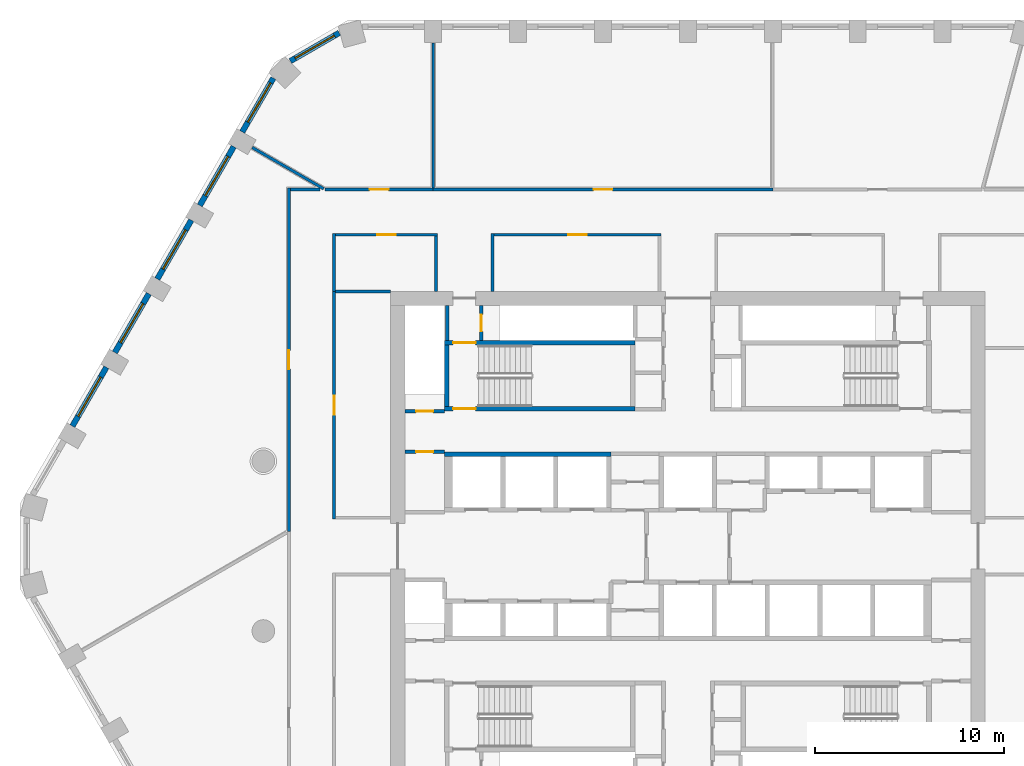
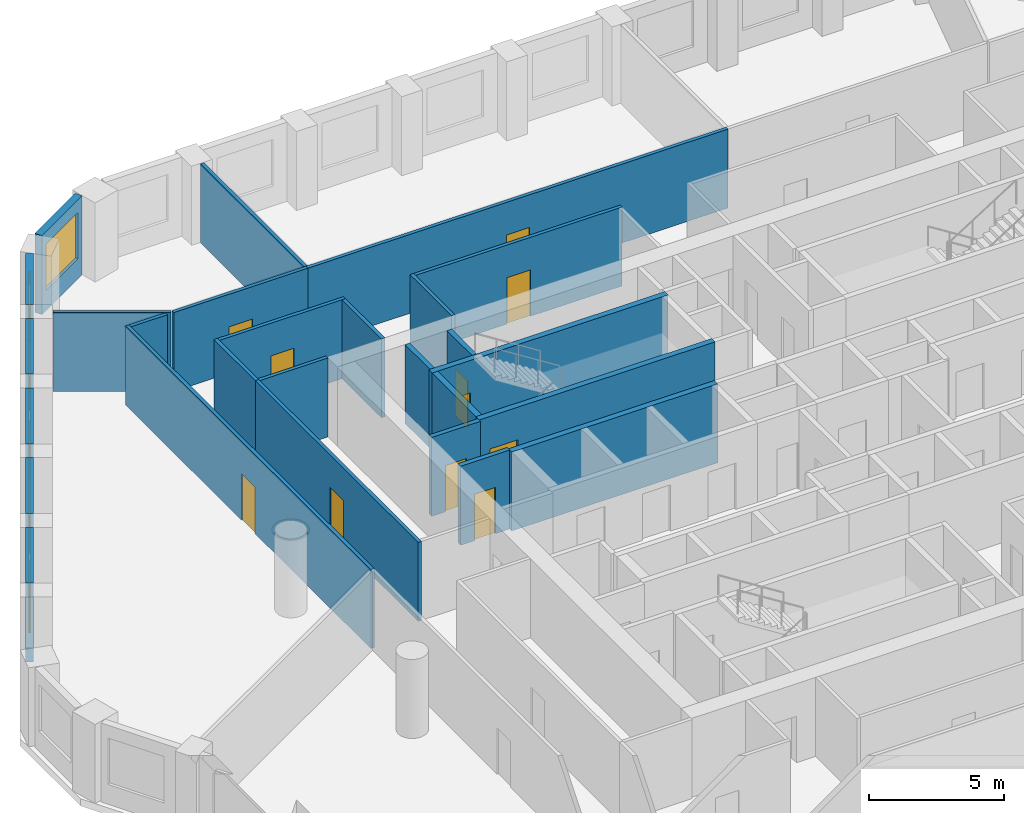
# One storey, part 6 of 14: 27 walls, 11 doors, 6 windows, 17 openings.
"""IFC4 building model written with IfcOpenShell, lengths in metres."""

from ifc_helpers import new_model, si_unit, direction, frame, frame_2d, origin, place, context, subcontext, project, spatial, polyline, rectangle, outline, extrude, material, layer, layer_set, type_object, element, fill, save


model = new_model("IFC4")

# Units and contexts
model_context = context("Model", 3, precision=1e-05, world=origin(), true_north=direction((0.0, 1.0)))
body_context = subcontext(model_context, "Body", "Model", "MODEL_VIEW")
ifc_project = project(units=[si_unit("LENGTHUNIT", "METRE"), si_unit("AREAUNIT", "SQUARE_METRE"), si_unit("VOLUMEUNIT", "CUBIC_METRE"), si_unit("PLANEANGLEUNIT", "RADIAN"), si_unit("MASSUNIT", "GRAM", prefix="KILO")], contexts=[model_context])

# Site, building, storey
site_placement = place(None, origin())
site = spatial("IfcSite", under=ifc_project, at=site_placement, CompositionType="ELEMENT")
building_placement = place(site_placement, origin())
building = spatial("IfcBuilding", under=site, at=building_placement, Name="Dhurran Vertical Campus", CompositionType="ELEMENT")
storey_placement = place(building_placement, frame((0.0, 0.0, 136.5)))
storey = spatial("IfcBuildingStorey", under=building, at=storey_placement, Name="L33", CompositionType="ELEMENT", Elevation=136.5)

# Wall, opening, window
ifc_material_1 = material(Name="Precast concrete C50/60", Category="concrete")
ifc_layer_1 = layer(ifc_material_1, 0.300048828125)
ifc_layer_set_1 = layer_set([ifc_layer_1], Name="Precast concrete C50/60")
wall_type_1 = type_object("IfcWallType", Name="Precast spandrel wall 300", PredefinedType="SOLIDWALL", material=ifc_layer_set_1)
wall_1_placement = place(storey_placement, frame((-18.479248046875, 27.201904296875, 0.0), z_axis=(0.0, 0.0, 1.0), x_axis=(-0.866012844897, -0.500021752, 0.0)))
wall_1 = element("IfcWall", 1, at=wall_1_placement, inside=storey, type_object=wall_type_1, Name="EW1 L33.31", PredefinedType="SOLIDWALL", context=body_context, shape_type="SweptSolid", body=[
    extrude(rectangle(XDim=2.989013671875, YDim=0.300048828125, at=frame_2d((1.49462890625, 0.0))), origin(), (0.0, 0.0, 1.0), 3.574951171875),
])
opening_1_placement = place(wall_1_placement, frame((0.294677734375, 0.0, 0.89990234375)))
opening_1 = element("IfcOpeningElement", 2, at=opening_1_placement, cuts=wall_1, Name="Opening WT1", PredefinedType="OPENING", context=body_context, shape_type="SweptSolid", body=[
    extrude(rectangle(XDim=2.39990234375, YDim=2.10009765625, at=frame_2d((1.199951171875, 1.050048828125))), frame((0.0, 0.159912109375, 0.0), z_axis=(0.0, -1.0, 0.0), x_axis=(1.0, 0.0, 0.0)), (0.0, 0.0, 1.0), 0.320068359375),
])
ifc_material_2 = material(Name="Aluminium frame with solar-control glass", Category="aluminium")
window_type = type_object("IfcWindowType", Name="Punched window 2400 x 2100", PartitioningType="SINGLE_PANEL", PredefinedType="WINDOW", material=ifc_material_2)
window_1_placement = place(opening_1_placement, origin())
window_1 = element("IfcWindow", 3, at=window_1_placement, inside=storey, type_object=window_type, Name="WT1 L33.31", OverallHeight=2.10009765625, OverallWidth=2.39990234375, PartitioningType="SINGLE_PANEL", PredefinedType="WINDOW", context=body_context, shape_type="SweptSolid", body=[
    extrude(rectangle(XDim=2.39990234375, YDim=2.10009765625, at=frame_2d((1.199951171875, 1.050048828125))), frame((0.0, 0.030029296875, 0.0), z_axis=(0.0, -1.0, 0.0), x_axis=(1.0, 0.0, 0.0)), (0.0, 0.0, 1.0), 0.06005859375),
])
fill(opening_1, window_1)

wall_2_placement = place(storey_placement, frame((-21.9716796875, 24.803466796875, 0.0), z_axis=(0.0, 0.0, 1.0), x_axis=(-0.500036802197, -0.866004154983, 0.0)))
wall_2 = element("IfcWall", 4, at=wall_2_placement, inside=storey, type_object=wall_type_1, Name="EW1 L33.32", PredefinedType="SOLIDWALL", context=body_context, shape_type="SweptSolid", body=[
    extrude(rectangle(XDim=3.294189453125, YDim=0.300048828125, at=frame_2d((1.64697265625, 0.0))), origin(), (0.0, 0.0, 1.0), 3.574951171875),
])
opening_2_placement = place(wall_2_placement, frame((0.29443359375, 0.0, 0.89990234375)))
opening_2 = element("IfcOpeningElement", 5, at=opening_2_placement, cuts=wall_2, Name="Opening WT1", PredefinedType="OPENING", context=body_context, shape_type="SweptSolid", body=[
    extrude(rectangle(XDim=2.39990234375, YDim=2.10009765625, at=frame_2d((1.199951171875, 1.050048828125))), frame((0.0, 0.159912109375, 0.0), z_axis=(0.0, -1.0, 0.0), x_axis=(1.0, 0.0, 0.0)), (0.0, 0.0, 1.0), 0.320068359375),
])
window_2_placement = place(opening_2_placement, origin())
window_2 = element("IfcWindow", 6, at=window_2_placement, inside=storey, type_object=window_type, Name="WT1 L33.32", OverallHeight=2.10009765625, OverallWidth=2.39990234375, PartitioningType="SINGLE_PANEL", PredefinedType="WINDOW", context=body_context, shape_type="SweptSolid", body=[
    extrude(rectangle(XDim=2.39990234375, YDim=2.10009765625, at=frame_2d((1.199951171875, 1.050048828125))), frame((0.0, 0.030029296875, 0.0), z_axis=(0.0, -1.0, 0.0), x_axis=(1.0, 0.0, 0.0)), (0.0, 0.0, 1.0), 0.06005859375),
])
fill(opening_2, window_2)

wall_3_placement = place(storey_placement, frame((-24.0693359375, 21.17041015625, 0.0), z_axis=(0.0, 0.0, 1.0), x_axis=(-0.500027802648, -0.866009351323, 0.0)))
wall_3 = element("IfcWall", 7, at=wall_3_placement, inside=storey, type_object=wall_type_1, Name="EW1 L33.33", PredefinedType="SOLIDWALL", context=body_context, shape_type="SweptSolid", body=[
    extrude(rectangle(XDim=3.598876953125, YDim=0.300048828125, at=frame_2d((1.79931640625, 0.0))), origin(), (0.0, 0.0, 1.0), 3.574951171875),
])
opening_3_placement = place(wall_3_placement, frame((0.599609375, 0.0, 0.89990234375)))
opening_3 = element("IfcOpeningElement", 8, at=opening_3_placement, cuts=wall_3, Name="Opening WT1", PredefinedType="OPENING", context=body_context, shape_type="SweptSolid", body=[
    extrude(rectangle(XDim=2.39990234375, YDim=2.10009765625, at=frame_2d((1.199951171875, 1.050048828125))), frame((0.0, 0.159912109375, 0.0), z_axis=(0.0, -1.0, 0.0), x_axis=(1.0, 0.0, 0.0)), (0.0, 0.0, 1.0), 0.320068359375),
])
window_3_placement = place(opening_3_placement, origin())
window_3 = element("IfcWindow", 9, at=window_3_placement, inside=storey, type_object=window_type, Name="WT1 L33.33", OverallHeight=2.10009765625, OverallWidth=2.39990234375, PartitioningType="SINGLE_PANEL", PredefinedType="WINDOW", context=body_context, shape_type="SweptSolid", body=[
    extrude(rectangle(XDim=2.39990234375, YDim=2.10009765625, at=frame_2d((1.199951171875, 1.050048828125))), frame((0.0, 0.030029296875, 0.0), z_axis=(0.0, -1.0, 0.0), x_axis=(1.0, 0.0, 0.0)), (0.0, 0.0, 1.0), 0.06005859375),
])
fill(opening_3, window_3)

wall_4_placement = place(storey_placement, frame((-26.3193359375, 17.273193359375, 0.0), z_axis=(0.0, 0.0, 1.0), x_axis=(-0.500027802648, -0.866009351323, 0.0)))
wall_4 = element("IfcWall", 10, at=wall_4_placement, inside=storey, type_object=wall_type_1, Name="EW1 L33.34", PredefinedType="SOLIDWALL", context=body_context, shape_type="SweptSolid", body=[
    extrude(rectangle(XDim=3.598876953125, YDim=0.300048828125, at=frame_2d((1.79931640625, 0.0))), origin(), (0.0, 0.0, 1.0), 3.574951171875),
])
opening_4_placement = place(wall_4_placement, frame((0.599609375, 0.0, 0.89990234375)))
opening_4 = element("IfcOpeningElement", 11, at=opening_4_placement, cuts=wall_4, Name="Opening WT1", PredefinedType="OPENING", context=body_context, shape_type="SweptSolid", body=[
    extrude(rectangle(XDim=2.39990234375, YDim=2.10009765625, at=frame_2d((1.199951171875, 1.050048828125))), frame((0.0, 0.159912109375, 0.0), z_axis=(0.0, -1.0, 0.0), x_axis=(1.0, 0.0, 0.0)), (0.0, 0.0, 1.0), 0.320068359375),
])
window_4_placement = place(opening_4_placement, origin())
window_4 = element("IfcWindow", 12, at=window_4_placement, inside=storey, type_object=window_type, Name="WT1 L33.34", OverallHeight=2.10009765625, OverallWidth=2.39990234375, PartitioningType="SINGLE_PANEL", PredefinedType="WINDOW", context=body_context, shape_type="SweptSolid", body=[
    extrude(rectangle(XDim=2.39990234375, YDim=2.10009765625, at=frame_2d((1.199951171875, 1.050048828125))), frame((0.0, 0.030029296875, 0.0), z_axis=(0.0, -1.0, 0.0), x_axis=(1.0, 0.0, 0.0)), (0.0, 0.0, 1.0), 0.06005859375),
])
fill(opening_4, window_4)

wall_5_placement = place(storey_placement, frame((-28.5693359375, 13.376220703125, 0.0), z_axis=(0.0, 0.0, 1.0), x_axis=(-0.500027802648, -0.866009351323, 0.0)))
wall_5 = element("IfcWall", 13, at=wall_5_placement, inside=storey, type_object=wall_type_1, Name="EW1 L33.35", PredefinedType="SOLIDWALL", context=body_context, shape_type="SweptSolid", body=[
    extrude(rectangle(XDim=3.598876953125, YDim=0.300048828125, at=frame_2d((1.79931640625, 0.0))), origin(), (0.0, 0.0, 1.0), 3.574951171875),
])
opening_5_placement = place(wall_5_placement, frame((0.599609375, 0.0, 0.89990234375)))
opening_5 = element("IfcOpeningElement", 14, at=opening_5_placement, cuts=wall_5, Name="Opening WT1", PredefinedType="OPENING", context=body_context, shape_type="SweptSolid", body=[
    extrude(rectangle(XDim=2.39990234375, YDim=2.10009765625, at=frame_2d((1.199951171875, 1.050048828125))), frame((0.0, 0.159912109375, 0.0), z_axis=(0.0, -1.0, 0.0), x_axis=(1.0, 0.0, 0.0)), (0.0, 0.0, 1.0), 0.320068359375),
])
window_5_placement = place(opening_5_placement, origin())
window_5 = element("IfcWindow", 15, at=window_5_placement, inside=storey, type_object=window_type, Name="WT1 L33.35", OverallHeight=2.10009765625, OverallWidth=2.39990234375, PartitioningType="SINGLE_PANEL", PredefinedType="WINDOW", context=body_context, shape_type="SweptSolid", body=[
    extrude(rectangle(XDim=2.39990234375, YDim=2.10009765625, at=frame_2d((1.199951171875, 1.050048828125))), frame((0.0, 0.030029296875, 0.0), z_axis=(0.0, -1.0, 0.0), x_axis=(1.0, 0.0, 0.0)), (0.0, 0.0, 1.0), 0.06005859375),
])
fill(opening_5, window_5)

wall_6_placement = place(storey_placement, frame((-30.8193359375, 9.47900390625, 0.0), z_axis=(0.0, 0.0, 1.0), x_axis=(-0.500027802648, -0.866009351323, 0.0)))
wall_6 = element("IfcWall", 16, at=wall_6_placement, inside=storey, type_object=wall_type_1, Name="EW1 L33.36", PredefinedType="SOLIDWALL", context=body_context, shape_type="SweptSolid", body=[
    extrude(rectangle(XDim=3.598876953125, YDim=0.300048828125, at=frame_2d((1.79931640625, 0.0))), origin(), (0.0, 0.0, 1.0), 3.574951171875),
])
opening_6_placement = place(wall_6_placement, frame((0.599609375, 0.0, 0.89990234375)))
opening_6 = element("IfcOpeningElement", 17, at=opening_6_placement, cuts=wall_6, Name="Opening WT1", PredefinedType="OPENING", context=body_context, shape_type="SweptSolid", body=[
    extrude(rectangle(XDim=2.39990234375, YDim=2.10009765625, at=frame_2d((1.199951171875, 1.050048828125))), frame((0.0, 0.159912109375, 0.0), z_axis=(0.0, -1.0, 0.0), x_axis=(1.0, 0.0, 0.0)), (0.0, 0.0, 1.0), 0.320068359375),
])
window_6_placement = place(opening_6_placement, origin())
window_6 = element("IfcWindow", 18, at=window_6_placement, inside=storey, type_object=window_type, Name="WT1 L33.36", OverallHeight=2.10009765625, OverallWidth=2.39990234375, PartitioningType="SINGLE_PANEL", PredefinedType="WINDOW", context=body_context, shape_type="SweptSolid", body=[
    extrude(rectangle(XDim=2.39990234375, YDim=2.10009765625, at=frame_2d((1.199951171875, 1.050048828125))), frame((0.0, 0.030029296875, 0.0), z_axis=(0.0, -1.0, 0.0), x_axis=(1.0, 0.0, 0.0)), (0.0, 0.0, 1.0), 0.06005859375),
])
fill(opening_6, window_6)

# Wall
ifc_material_3 = material(Name="Fire-rated masonry blockwork", Category="masonry")
ifc_layer_2 = layer(ifc_material_3, 0.199951171875)
ifc_layer_set_2 = layer_set([ifc_layer_2], Name="Fire-rated masonry blockwork")
wall_type_2 = type_object("IfcWallType", Name="co-FIRE-PARTITION-200", PredefinedType="PARTITIONING", material=ifc_layer_set_2)
wall_7_placement = place(storey_placement, frame((-12.75, 10.89990234375, 0.0), z_axis=(0.0, 0.0, 1.0), x_axis=(0.0, 1.0, 0.0)))
element("IfcWall", 19, at=wall_7_placement, inside=storey, type_object=wall_type_2, Name="Core partition pass-ST1-o L33", PredefinedType="PARTITIONING", context=body_context, shape_type="SweptSolid", body=[
    extrude(rectangle(XDim=1.85009765625, YDim=0.199951171875, at=frame_2d((0.925048828125, 0.0))), origin(), (0.0, 0.0, 1.0), 3.574951171875),
])

# Wall, opening, door
wall_8_placement = place(storey_placement, frame((-10.949951171875, 10.89990234375, 0.0), z_axis=(0.0, 0.0, 1.0), x_axis=(0.0, 1.0, 0.0)))
wall_8 = element("IfcWall", 20, at=wall_8_placement, inside=storey, type_object=wall_type_2, Name="Core partition pass-ST1-i L33", PredefinedType="PARTITIONING", context=body_context, shape_type="SweptSolid", body=[
    extrude(rectangle(XDim=1.85009765625, YDim=0.199951171875, at=frame_2d((0.925048828125, 0.0))), origin(), (0.0, 0.0, 1.0), 3.574951171875),
])
opening_7_placement = place(wall_8_placement, frame((0.47509765625, 0.0, 0.0)))
opening_7 = element("IfcOpeningElement", 21, at=opening_7_placement, cuts=wall_8, Name="Opening T09-C11", PredefinedType="OPENING", context=body_context, shape_type="SweptSolid", body=[
    extrude(rectangle(XDim=0.89990234375, YDim=2.10009765625, at=frame_2d((0.449951171875, 1.050048828125))), frame((0.0, 0.10986328125, 0.0), z_axis=(0.0, -1.0, 0.0), x_axis=(1.0, 0.0, 0.0)), (0.0, 0.0, 1.0), 0.219970703125),
])
ifc_material_4 = material(Name="Fire-rated timber door set", Category="wood")
door_type_1 = type_object("IfcDoorType", Name="co-D-ROOM 900x2100", OperationType="SINGLE_SWING_LEFT", PredefinedType="DOOR", material=ifc_material_4)
door_1_placement = place(opening_7_placement, origin())
door_1 = element("IfcDoor", 22, at=door_1_placement, inside=storey, type_object=door_type_1, Name="Riser room door L33", OperationType="SINGLE_SWING_LEFT", OverallHeight=2.10009765625, OverallWidth=0.89990234375, PredefinedType="DOOR", context=body_context, shape_type="SweptSolid", body=[
    extrude(rectangle(XDim=0.89990234375, YDim=2.10009765625, at=frame_2d((0.449951171875, 1.050048828125))), frame((0.0, 0.02490234375, 0.0), z_axis=(0.0, -1.0, 0.0), x_axis=(1.0, 0.0, 0.0)), (0.0, 0.0, 1.0), 0.050048828125),
])
fill(opening_7, door_1)

wall_9_placement = place(storey_placement, frame((-15.0, 7.14990234375, 0.0), z_axis=(0.0, 0.0, 1.0), x_axis=(1.0, 0.0, 0.0)))
wall_9 = element("IfcWall", 23, at=wall_9_placement, inside=storey, type_object=wall_type_2, Name="Core partition en-NW-w L33", PredefinedType="PARTITIONING", context=body_context, shape_type="SweptSolid", body=[
    extrude(rectangle(XDim=2.10009765625, YDim=0.199951171875, at=frame_2d((1.050048828125, 0.0))), origin(), (0.0, 0.0, 1.0), 3.574951171875),
])
opening_8_placement = place(wall_9_placement, frame((0.60009765625, 0.0, 0.0)))
opening_8 = element("IfcOpeningElement", 24, at=opening_8_placement, cuts=wall_9, Name="Opening T09-C15", PredefinedType="OPENING", context=body_context, shape_type="SweptSolid", body=[
    extrude(rectangle(XDim=0.89990234375, YDim=2.10009765625, at=frame_2d((0.449951171875, 1.050048828125))), frame((0.0, 0.10986328125, 0.0), z_axis=(0.0, -1.0, 0.0), x_axis=(1.0, 0.0, 0.0)), (0.0, 0.0, 1.0), 0.219970703125),
])
door_2_placement = place(opening_8_placement, origin())
door_2 = element("IfcDoor", 25, at=door_2_placement, inside=storey, type_object=door_type_1, Name="Electrical riser door L33", OperationType="SINGLE_SWING_LEFT", OverallHeight=2.10009765625, OverallWidth=0.89990234375, PredefinedType="DOOR", context=body_context, shape_type="SweptSolid", body=[
    extrude(rectangle(XDim=0.89990234375, YDim=2.10009765625, at=frame_2d((0.449951171875, 1.050048828125))), frame((0.0, 0.02490234375, 0.0), z_axis=(0.0, -1.0, 0.0), x_axis=(1.0, 0.0, 0.0)), (0.0, 0.0, 1.0), 0.050048828125),
])
fill(opening_8, door_2)

wall_10_placement = place(storey_placement, frame((-15.0, 5.0, 0.0), z_axis=(0.0, 0.0, 1.0), x_axis=(1.0, 0.0, 0.0)))
wall_10 = element("IfcWall", 26, at=wall_10_placement, inside=storey, type_object=wall_type_2, Name="Core partition es-NW-w L33", PredefinedType="PARTITIONING", context=body_context, shape_type="SweptSolid", body=[
    extrude(rectangle(XDim=2.10009765625, YDim=0.199951171875, at=frame_2d((1.050048828125, 0.0))), origin(), (0.0, 0.0, 1.0), 3.574951171875),
])
opening_9_placement = place(wall_10_placement, frame((0.60009765625, 0.0, 0.0)))
opening_9 = element("IfcOpeningElement", 27, at=opening_9_placement, cuts=wall_10, Name="Opening T09-C16", PredefinedType="OPENING", context=body_context, shape_type="SweptSolid", body=[
    extrude(rectangle(XDim=0.89990234375, YDim=2.10009765625, at=frame_2d((0.449951171875, 1.050048828125))), frame((0.0, 0.10986328125, 0.0), z_axis=(0.0, -1.0, 0.0), x_axis=(1.0, 0.0, 0.0)), (0.0, 0.0, 1.0), 0.219970703125),
])
door_3_placement = place(opening_9_placement, origin())
door_3 = element("IfcDoor", 28, at=door_3_placement, inside=storey, type_object=door_type_1, Name="Print room door L33", OperationType="SINGLE_SWING_LEFT", OverallHeight=2.10009765625, OverallWidth=0.89990234375, PredefinedType="DOOR", context=body_context, shape_type="SweptSolid", body=[
    extrude(rectangle(XDim=0.89990234375, YDim=2.10009765625, at=frame_2d((0.449951171875, 1.050048828125))), frame((0.0, 0.02490234375, 0.0), z_axis=(0.0, -1.0, 0.0), x_axis=(1.0, 0.0, 0.0)), (0.0, 0.0, 1.0), 0.050048828125),
])
fill(opening_9, door_3)

# Wall
ifc_material_5 = material(Name="Concrete C50/60", Category="concrete")
ifc_layer_3 = layer(ifc_material_5, 0.25)
ifc_layer_set_3 = layer_set([ifc_layer_3], Name="Concrete C50/60")
wall_type_3 = type_object("IfcWallType", Name="co-SHAFT-MASS-250", PredefinedType="SHEAR", material=ifc_layer_set_3)
wall_11_placement = place(storey_placement, origin())
element("IfcWall", 29, at=wall_11_placement, inside=storey, type_object=wall_type_3, Name="Lift shaft wall N L33 1", PredefinedType="SHEAR", context=body_context, shape_type="SweptSolid", body=[
    extrude(outline(polyline([(-12.89990234375, 4.75), (-4.074951171875, 4.75), (-4.074951171875, 5.0), (-12.89990234375, 5.0), (-12.89990234375, 4.75)])), origin(), (0.0, 0.0, 1.0), 3.574951171875),
])

# Wall, opening, door
ifc_material_6 = material(Name="Concrete C40/50", Category="concrete")
ifc_layer_4 = layer(ifc_material_6, 0.25)
ifc_layer_set_4 = layer_set([ifc_layer_4], Name="Concrete C40/50")
wall_type_4 = type_object("IfcWallType", Name="co-STAIR-WALL-250", PredefinedType="SHEAR", material=ifc_layer_set_4)
wall_12_placement = place(storey_placement, frame((-12.89990234375, 7.27490234375, 0.0), z_axis=(0.0, 0.0, 1.0), x_axis=(1.0, 0.0, 0.0)))
wall_12 = element("IfcWall", 30, at=wall_12_placement, inside=storey, type_object=wall_type_4, Name="Stair ST1 enclosure wall L33", PredefinedType="SHEAR", context=body_context, shape_type="SweptSolid", body=[
    extrude(rectangle(XDim=10.099853515625, YDim=0.25, at=frame_2d((5.0498046875, 0.0))), origin(), (0.0, 0.0, 1.0), 3.574951171875),
])
opening_10_placement = place(wall_12_placement, frame((0.449951171875, 0.0, 0.0)))
opening_10 = element("IfcOpeningElement", 31, at=opening_10_placement, cuts=wall_12, Name="Opening SD1", PredefinedType="OPENING", context=body_context, shape_type="SweptSolid", body=[
    extrude(rectangle(XDim=1.199951171875, YDim=2.10009765625, at=frame_2d((0.60009765625, 1.050048828125))), frame((0.0, 0.135009765625, 0.0), z_axis=(0.0, -1.0, 0.0), x_axis=(1.0, 0.0, 0.0)), (0.0, 0.0, 1.0), 0.27001953125),
])
ifc_material_7 = material(Name="Fire-rated steel door set", Category="steel")
door_type_2 = type_object("IfcDoorType", Name="co-D-STAIR 1200x2100", OperationType="SINGLE_SWING_LEFT", PredefinedType="DOOR", material=ifc_material_7)
door_4_placement = place(opening_10_placement, origin())
door_4 = element("IfcDoor", 32, at=door_4_placement, inside=storey, type_object=door_type_2, Name="Stair ST1 door L33", OperationType="SINGLE_SWING_LEFT", OverallHeight=2.10009765625, OverallWidth=1.199951171875, PredefinedType="DOOR", context=body_context, shape_type="SweptSolid", body=[
    extrude(rectangle(XDim=1.199951171875, YDim=2.10009765625, at=frame_2d((0.60009765625, 1.050048828125))), frame((0.0, 0.02490234375, 0.0), z_axis=(0.0, -1.0, 0.0), x_axis=(1.0, 0.0, 0.0)), (0.0, 0.0, 1.0), 0.050048828125),
])
fill(opening_10, door_4)

wall_13_placement = place(storey_placement, frame((-12.89990234375, 10.77490234375, 0.0), z_axis=(0.0, 0.0, 1.0), x_axis=(1.0, 0.0, 0.0)))
wall_13 = element("IfcWall", 33, at=wall_13_placement, inside=storey, type_object=wall_type_4, Name="Stair ST1 enclosure wall L33", PredefinedType="SHEAR", context=body_context, shape_type="SweptSolid", body=[
    extrude(rectangle(XDim=10.099853515625, YDim=0.25, at=frame_2d((5.0498046875, 0.0))), origin(), (0.0, 0.0, 1.0), 3.574951171875),
])
opening_11_placement = place(wall_13_placement, frame((0.449951171875, 0.0, 0.0)))
opening_11 = element("IfcOpeningElement", 34, at=opening_11_placement, cuts=wall_13, Name="Opening XS1", PredefinedType="OPENING", context=body_context, shape_type="SweptSolid", body=[
    extrude(rectangle(XDim=1.199951171875, YDim=2.10009765625, at=frame_2d((0.60009765625, 1.050048828125))), frame((0.0, 0.135009765625, 0.0), z_axis=(0.0, -1.0, 0.0), x_axis=(1.0, 0.0, 0.0)), (0.0, 0.0, 1.0), 0.27001953125),
])
ifc_material_8 = material(Name="Fire-rated steel door set", Category="steel")
door_type_3 = type_object("IfcDoorType", Name="co-D-STAIR-EXIT 1200x2100", OperationType="SINGLE_SWING_RIGHT", PredefinedType="DOOR", material=ifc_material_8)
door_5_placement = place(opening_11_placement, origin())
door_5 = element("IfcDoor", 35, at=door_5_placement, inside=storey, type_object=door_type_3, Name="Stair ST1 discharge door L33", OperationType="SINGLE_SWING_RIGHT", OverallHeight=2.10009765625, OverallWidth=1.199951171875, PredefinedType="DOOR", context=body_context, shape_type="SweptSolid", body=[
    extrude(rectangle(XDim=1.199951171875, YDim=2.10009765625, at=frame_2d((0.60009765625, 1.050048828125))), frame((0.0, 0.02490234375, 0.0), z_axis=(0.0, -1.0, 0.0), x_axis=(1.0, 0.0, 0.0)), (0.0, 0.0, 1.0), 0.050048828125),
])
fill(opening_11, door_5)

# Wall
wall_14_placement = place(storey_placement, frame((-12.77490234375, 7.39990234375, 0.0), z_axis=(0.0, 0.0, 1.0), x_axis=(0.0, 1.0, 0.0)))
element("IfcWall", 36, at=wall_14_placement, inside=storey, type_object=wall_type_4, Name="Stair ST1 enclosure wall L33", PredefinedType="SHEAR", context=body_context, shape_type="SweptSolid", body=[
    extrude(rectangle(XDim=3.25, YDim=0.25, at=frame_2d((1.625, 0.0))), origin(), (0.0, 0.0, 1.0), 3.574951171875),
])

# Wall, opening, door
ifc_material_9 = material(Name="Gypsum board corridor wall on steel studs", Category="steel")
ifc_layer_5 = layer(ifc_material_9, 0.14990234375)
ifc_layer_set_5 = layer_set([ifc_layer_5], Name="Gypsum board corridor wall on steel studs")
wall_type_5 = type_object("IfcWallType", Name="fl-CW-150 corridor wall", PredefinedType="PARTITIONING", material=ifc_layer_set_5)
wall_15_placement = place(storey_placement, frame((-21.14990234375, 18.97509765625, 0.0), z_axis=(0.0, 0.0, 1.0), x_axis=(0.0, -1.0, 0.0)))
wall_15 = element("IfcWall", 37, at=wall_15_placement, inside=storey, type_object=wall_type_5, Name="Partition 33-06", PredefinedType="PARTITIONING", context=body_context, shape_type="SweptSolid", body=[
    extrude(rectangle(XDim=18.196044921875, YDim=0.14990234375, at=frame_2d((9.09814453125, 0.0))), origin(), (0.0, 0.0, 1.0), 3.574951171875),
])
opening_12_placement = place(wall_15_placement, frame((8.597900390625, 0.0, 0.0)))
opening_12 = element("IfcOpeningElement", 38, at=opening_12_placement, cuts=wall_15, Name="Opening T09.01", PredefinedType="OPENING", context=body_context, shape_type="SweptSolid", body=[
    extrude(rectangle(XDim=1.0, YDim=2.10009765625, at=frame_2d((0.5, 1.050048828125))), frame((0.0, 0.0849609375, 0.0), z_axis=(0.0, -1.0, 0.0), x_axis=(1.0, 0.0, 0.0)), (0.0, 0.0, 1.0), 0.169921875),
])
ifc_material_10 = material(Name="Solid-core timber door set, fire-rated", Category="wood")
door_type_4 = type_object("IfcDoorType", Name="fl-D-1000x2100", OperationType="SINGLE_SWING_LEFT", PredefinedType="DOOR", material=ifc_material_10)
door_6_placement = place(opening_12_placement, origin())
door_6 = element("IfcDoor", 39, at=door_6_placement, inside=storey, type_object=door_type_4, Name="Door 33.01", OperationType="SINGLE_SWING_LEFT", OverallHeight=2.10009765625, OverallWidth=1.0, PredefinedType="DOOR", context=body_context, shape_type="SweptSolid", body=[
    extrude(rectangle(XDim=1.0, YDim=2.10009765625, at=frame_2d((0.5, 1.050048828125))), frame((0.0, 0.02490234375, 0.0), z_axis=(0.0, -1.0, 0.0), x_axis=(1.0, 0.0, 0.0)), (0.0, 0.0, 1.0), 0.050048828125),
])
fill(opening_12, door_6)

# Wall
wall_16_placement = place(storey_placement, frame((-19.510986328125, 18.89990234375, 0.0), z_axis=(0.0, 0.0, 1.0), x_axis=(-1.0, 0.0, 0.0)))
element("IfcWall", 40, at=wall_16_placement, inside=storey, type_object=wall_type_5, Name="Partition 33-07", PredefinedType="PARTITIONING", context=body_context, shape_type="SweptSolid", body=[
    extrude(rectangle(XDim=1.56396484375, YDim=0.14990234375, at=frame_2d((0.781982421875, 0.0))), origin(), (0.0, 0.0, 1.0), 3.574951171875),
])

# Wall, opening, door
wall_17_placement = place(storey_placement, frame((-13.5, 18.89990234375, 0.0), z_axis=(0.0, 0.0, 1.0), x_axis=(-1.0, 0.0, 0.0)))
wall_17 = element("IfcWall", 41, at=wall_17_placement, inside=storey, type_object=wall_type_5, Name="Partition 33-09", PredefinedType="PARTITIONING", context=body_context, shape_type="SweptSolid", body=[
    extrude(rectangle(XDim=5.736083984375, YDim=0.14990234375, at=frame_2d((2.8681640625, 0.0))), origin(), (0.0, 0.0, 1.0), 3.574951171875),
])
opening_13_placement = place(wall_17_placement, frame((2.367919921875, 0.0, 0.0)))
opening_13 = element("IfcOpeningElement", 42, at=opening_13_placement, cuts=wall_17, Name="Opening T09.04", PredefinedType="OPENING", context=body_context, shape_type="SweptSolid", body=[
    extrude(rectangle(XDim=1.0, YDim=2.10009765625, at=frame_2d((0.5, 1.050048828125))), frame((0.0, 0.0849609375, 0.0), z_axis=(0.0, -1.0, 0.0), x_axis=(1.0, 0.0, 0.0)), (0.0, 0.0, 1.0), 0.169921875),
])
door_7_placement = place(opening_13_placement, origin())
door_7 = element("IfcDoor", 43, at=door_7_placement, inside=storey, type_object=door_type_4, Name="Door 33.04", OperationType="SINGLE_SWING_RIGHT", OverallHeight=2.10009765625, OverallWidth=1.0, PredefinedType="DOOR", context=body_context, shape_type="SweptSolid", body=[
    extrude(rectangle(XDim=1.0, YDim=2.10009765625, at=frame_2d((0.5, 1.050048828125))), frame((0.0, 0.02490234375, 0.0), z_axis=(0.0, -1.0, 0.0), x_axis=(1.0, 0.0, 0.0)), (0.0, 0.0, 1.0), 0.050048828125),
])
fill(opening_13, door_7)

wall_18_placement = place(storey_placement, frame((-18.75, 1.425048828125, 0.0), z_axis=(0.0, 0.0, 1.0), x_axis=(0.0, 1.0, 0.0)))
wall_18 = element("IfcWall", 44, at=wall_18_placement, inside=storey, type_object=wall_type_5, Name="Partition 33-15", PredefinedType="PARTITIONING", context=body_context, shape_type="SweptSolid", body=[
    extrude(rectangle(XDim=12.074951171875, YDim=0.14990234375, at=frame_2d((6.03759765625, 0.0))), origin(), (0.0, 0.0, 1.0), 3.574951171875),
])
opening_14_placement = place(wall_18_placement, frame((5.53759765625, 0.0, 0.0)))
opening_14 = element("IfcOpeningElement", 45, at=opening_14_placement, cuts=wall_18, Name="Opening T09.06", PredefinedType="OPENING", context=body_context, shape_type="SweptSolid", body=[
    extrude(rectangle(XDim=1.0, YDim=2.10009765625, at=frame_2d((0.5, 1.050048828125))), frame((0.0, 0.0849609375, 0.0), z_axis=(0.0, -1.0, 0.0), x_axis=(1.0, 0.0, 0.0)), (0.0, 0.0, 1.0), 0.169921875),
])
door_8_placement = place(opening_14_placement, origin())
door_8 = element("IfcDoor", 46, at=door_8_placement, inside=storey, type_object=door_type_4, Name="Door 33.06", OperationType="SINGLE_SWING_LEFT", OverallHeight=2.10009765625, OverallWidth=1.0, PredefinedType="DOOR", context=body_context, shape_type="SweptSolid", body=[
    extrude(rectangle(XDim=1.0, YDim=2.10009765625, at=frame_2d((0.5, 1.050048828125))), frame((0.0, 0.02490234375, 0.0), z_axis=(0.0, -1.0, 0.0), x_axis=(1.0, 0.0, 0.0)), (0.0, 0.0, 1.0), 0.050048828125),
])
fill(opening_14, door_8)

# Wall
wall_19_placement = place(storey_placement, frame((-18.75, 13.5, 0.0), z_axis=(0.0, 0.0, 1.0), x_axis=(0.0, 1.0, 0.0)))
element("IfcWall", 47, at=wall_19_placement, inside=storey, type_object=wall_type_5, Name="Partition 33-17", PredefinedType="PARTITIONING", context=body_context, shape_type="SweptSolid", body=[
    extrude(rectangle(XDim=3.074951171875, YDim=0.14990234375, at=frame_2d((1.53759765625, 0.0))), origin(), (0.0, 0.0, 1.0), 3.574951171875),
])

# Wall, opening, door
wall_20_placement = place(storey_placement, frame((-18.675048828125, 16.5, 0.0), z_axis=(0.0, 0.0, 1.0), x_axis=(1.0, 0.0, 0.0)))
wall_20 = element("IfcWall", 48, at=wall_20_placement, inside=storey, type_object=wall_type_5, Name="Partition 33-19", PredefinedType="PARTITIONING", context=body_context, shape_type="SweptSolid", body=[
    extrude(rectangle(XDim=5.400146484375, YDim=0.14990234375, at=frame_2d((2.7001953125, 0.0))), origin(), (0.0, 0.0, 1.0), 3.574951171875),
])
opening_15_placement = place(wall_20_placement, frame((2.199951171875, 0.0, 0.0)))
opening_15 = element("IfcOpeningElement", 49, at=opening_15_placement, cuts=wall_20, Name="Opening T09.08", PredefinedType="OPENING", context=body_context, shape_type="SweptSolid", body=[
    extrude(rectangle(XDim=1.0, YDim=2.10009765625, at=frame_2d((0.5, 1.050048828125))), frame((0.0, 0.0849609375, 0.0), z_axis=(0.0, -1.0, 0.0), x_axis=(1.0, 0.0, 0.0)), (0.0, 0.0, 1.0), 0.169921875),
])
door_9_placement = place(opening_15_placement, origin())
door_9 = element("IfcDoor", 50, at=door_9_placement, inside=storey, type_object=door_type_4, Name="Door 33.08", OperationType="SINGLE_SWING_LEFT", OverallHeight=2.10009765625, OverallWidth=1.0, PredefinedType="DOOR", context=body_context, shape_type="SweptSolid", body=[
    extrude(rectangle(XDim=1.0, YDim=2.10009765625, at=frame_2d((0.5, 1.050048828125))), frame((0.0, 0.02490234375, 0.0), z_axis=(0.0, -1.0, 0.0), x_axis=(1.0, 0.0, 0.0)), (0.0, 0.0, 1.0), 0.050048828125),
])
fill(opening_15, door_9)

wall_21_placement = place(storey_placement, frame((4.5, 18.89990234375, 0.0), z_axis=(0.0, 0.0, 1.0), x_axis=(-1.0, 0.0, 0.0)))
wall_21 = element("IfcWall", 51, at=wall_21_placement, inside=storey, type_object=wall_type_5, Name="Partition 33-23", PredefinedType="PARTITIONING", context=body_context, shape_type="SweptSolid", body=[
    extrude(rectangle(XDim=18.0, YDim=0.14990234375, at=frame_2d((9.0, 0.0))), origin(), (0.0, 0.0, 1.0), 3.574951171875),
])
opening_16_placement = place(wall_21_placement, frame((8.5, 0.0, 0.0)))
opening_16 = element("IfcOpeningElement", 52, at=opening_16_placement, cuts=wall_21, Name="Opening T09.12", PredefinedType="OPENING", context=body_context, shape_type="SweptSolid", body=[
    extrude(rectangle(XDim=1.0, YDim=2.10009765625, at=frame_2d((0.5, 1.050048828125))), frame((0.0, 0.0849609375, 0.0), z_axis=(0.0, -1.0, 0.0), x_axis=(1.0, 0.0, 0.0)), (0.0, 0.0, 1.0), 0.169921875),
])
door_10_placement = place(opening_16_placement, origin())
door_10 = element("IfcDoor", 53, at=door_10_placement, inside=storey, type_object=door_type_4, Name="Door 33.12", OperationType="SINGLE_SWING_RIGHT", OverallHeight=2.10009765625, OverallWidth=1.0, PredefinedType="DOOR", context=body_context, shape_type="SweptSolid", body=[
    extrude(rectangle(XDim=1.0, YDim=2.10009765625, at=frame_2d((0.5, 1.050048828125))), frame((0.0, 0.02490234375, 0.0), z_axis=(0.0, -1.0, 0.0), x_axis=(1.0, 0.0, 0.0)), (0.0, 0.0, 1.0), 0.050048828125),
])
fill(opening_16, door_10)

# Walls
wall_22_placement = place(storey_placement, frame((-13.35009765625, 16.425048828125, 0.0), z_axis=(0.0, 0.0, 1.0), x_axis=(0.0, -1.0, 0.0)))
element("IfcWall", 54, at=wall_22_placement, inside=storey, type_object=wall_type_5, Name="Partition 33-25", PredefinedType="PARTITIONING", context=body_context, shape_type="SweptSolid", body=[
    extrude(rectangle(XDim=2.925048828125, YDim=0.14990234375, at=frame_2d((1.46240234375, 0.0))), origin(), (0.0, 0.0, 1.0), 3.574951171875),
])
wall_23_placement = place(storey_placement, frame((-10.35009765625, 13.5, 0.0), z_axis=(0.0, 0.0, 1.0), x_axis=(0.0, 1.0, 0.0)))
element("IfcWall", 55, at=wall_23_placement, inside=storey, type_object=wall_type_5, Name="Partition 33-28", PredefinedType="PARTITIONING", context=body_context, shape_type="SweptSolid", body=[
    extrude(rectangle(XDim=3.074951171875, YDim=0.14990234375, at=frame_2d((1.53759765625, 0.0))), origin(), (0.0, 0.0, 1.0), 3.574951171875),
])

# Wall, opening, door
wall_24_placement = place(storey_placement, frame((-10.27490234375, 16.5, 0.0), z_axis=(0.0, 0.0, 1.0), x_axis=(1.0, 0.0, 0.0)))
wall_24 = element("IfcWall", 56, at=wall_24_placement, inside=storey, type_object=wall_type_5, Name="Partition 33-29", PredefinedType="PARTITIONING", context=body_context, shape_type="SweptSolid", body=[
    extrude(rectangle(XDim=8.849853515625, YDim=0.14990234375, at=frame_2d((4.4248046875, 0.0))), origin(), (0.0, 0.0, 1.0), 3.574951171875),
])
opening_17_placement = place(wall_24_placement, frame((3.925048828125, 0.0, 0.0)))
opening_17 = element("IfcOpeningElement", 57, at=opening_17_placement, cuts=wall_24, Name="Opening T09.11", PredefinedType="OPENING", context=body_context, shape_type="SweptSolid", body=[
    extrude(rectangle(XDim=1.0, YDim=2.10009765625, at=frame_2d((0.5, 1.050048828125))), frame((0.0, 0.0849609375, 0.0), z_axis=(0.0, -1.0, 0.0), x_axis=(1.0, 0.0, 0.0)), (0.0, 0.0, 1.0), 0.169921875),
])
door_11_placement = place(opening_17_placement, origin())
door_11 = element("IfcDoor", 58, at=door_11_placement, inside=storey, type_object=door_type_4, Name="Door 33.11", OperationType="SINGLE_SWING_LEFT", OverallHeight=2.10009765625, OverallWidth=1.0, PredefinedType="DOOR", context=body_context, shape_type="SweptSolid", body=[
    extrude(rectangle(XDim=1.0, YDim=2.10009765625, at=frame_2d((0.5, 1.050048828125))), frame((0.0, 0.02490234375, 0.0), z_axis=(0.0, -1.0, 0.0), x_axis=(1.0, 0.0, 0.0)), (0.0, 0.0, 1.0), 0.050048828125),
])
fill(opening_17, door_11)

# Walls
ifc_material_11 = material(Name="Gypsum board partition on steel studs", Category="steel")
ifc_layer_6 = layer(ifc_material_11, 0.14990234375)
ifc_layer_set_6 = layer_set([ifc_layer_6], Name="Gypsum board partition on steel studs")
wall_type_6 = type_object("IfcWallType", Name="fl-PW-150 fixed partition", PredefinedType="PARTITIONING", material=ifc_layer_set_6)
wall_25_placement = place(storey_placement, frame((-23.09033203125, 21.1259765625, 0.0), z_axis=(0.0, 0.0, 1.0), x_axis=(0.865968165673, -0.500099126214, 0.0)))
element("IfcWall", 59, at=wall_25_placement, inside=storey, type_object=wall_type_6, Name="Partition 33-03", PredefinedType="PARTITIONING", context=body_context, shape_type="SweptSolid", body=[
    extrude(rectangle(XDim=4.3759765625, YDim=0.14990234375, at=frame_2d((2.18798828125, 0.0))), origin(), (0.0, 0.0, 1.0), 3.574951171875),
])
wall_26_placement = place(storey_placement, frame((-18.675048828125, 13.5, 0.0), z_axis=(0.0, 0.0, 1.0), x_axis=(1.0, 0.0, 0.0)))
element("IfcWall", 60, at=wall_26_placement, inside=storey, type_object=wall_type_6, Name="Partition 33-18", PredefinedType="PARTITIONING", context=body_context, shape_type="SweptSolid", body=[
    extrude(rectangle(XDim=2.925048828125, YDim=0.14990234375, at=frame_2d((1.46240234375, 0.0))), origin(), (0.0, 0.0, 1.0), 3.574951171875),
])
wall_27_placement = place(storey_placement, frame((-13.5, 26.66259765625, 0.0), z_axis=(0.0, 0.0, 1.0), x_axis=(0.0, -1.0, 0.0)))
element("IfcWall", 61, at=wall_27_placement, inside=storey, type_object=wall_type_6, Name="Partition 33-22", PredefinedType="PARTITIONING", context=body_context, shape_type="SweptSolid", body=[
    extrude(rectangle(XDim=7.6875, YDim=0.14990234375, at=frame_2d((3.84375, 0.0))), origin(), (0.0, 0.0, 1.0), 3.574951171875),
])

save(model, "model.ifc")
